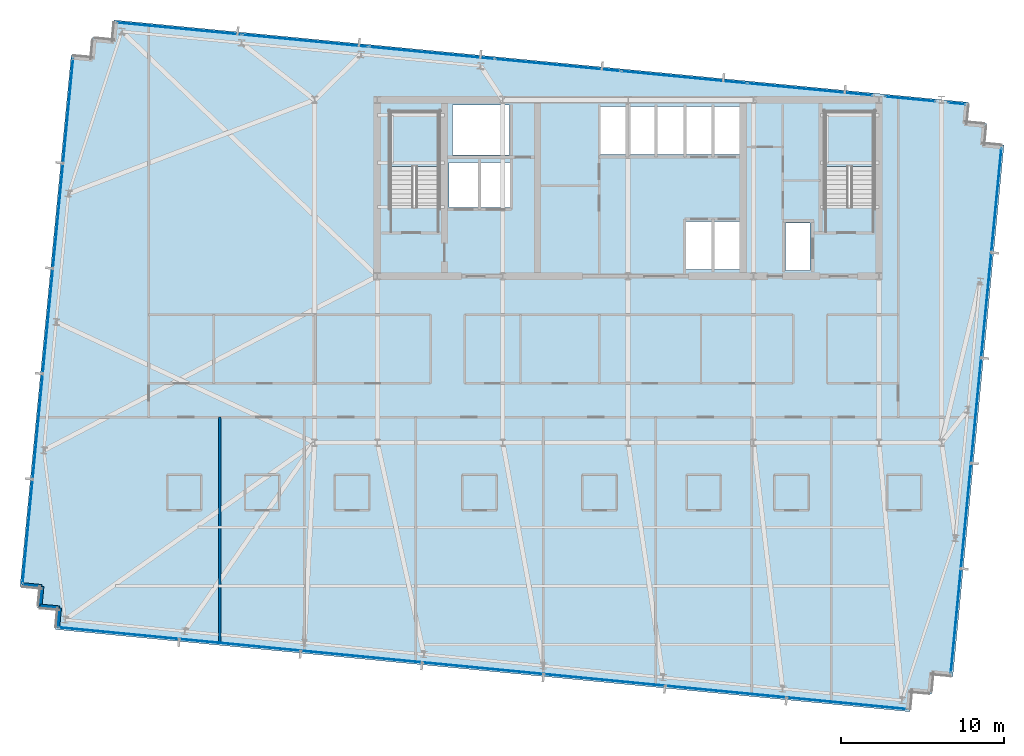
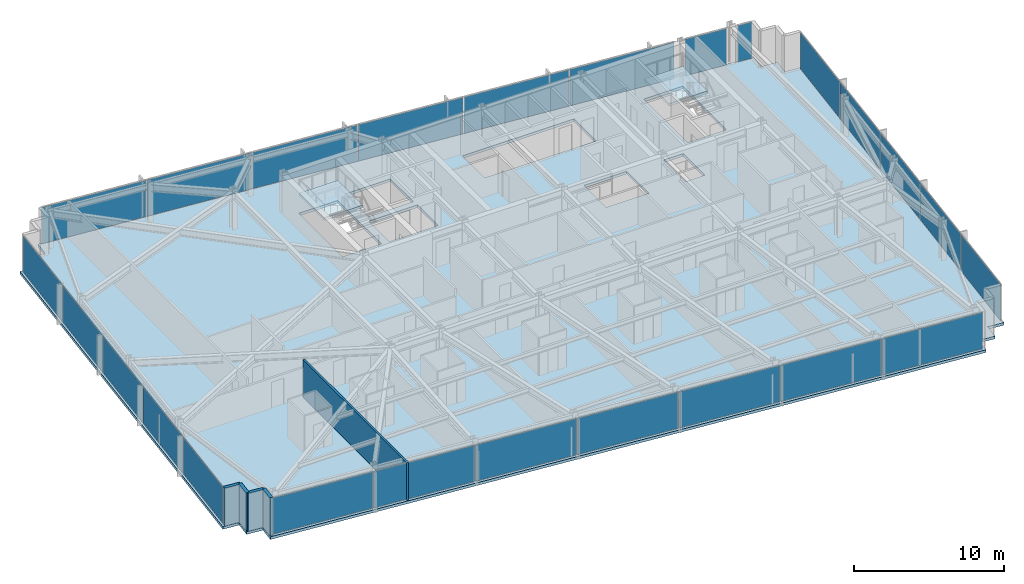
# One storey, part 28 of 37: 25 plates, 5 walls, 3 slabs, 8 elements without a shape of their own.
"""IFC4 building model written with IfcOpenShell, lengths in metres."""

from ifc_helpers import new_model, si_unit, direction, frame, frame_2d, origin, origin_2d, place, context, subcontext, project, spatial, polyline, rectangle, outline, extrude, material, layer, layer_set, type_object, element, aggregate, save


model = new_model("IFC4")

# Units and contexts
model_context = context("Model", 3, precision=1e-05, world=origin(), true_north=direction((0.0, 1.0)))
body_context = subcontext(model_context, "Body", "Model", "MODEL_VIEW")
ifc_project = project(units=[si_unit("LENGTHUNIT", "METRE"), si_unit("AREAUNIT", "SQUARE_METRE"), si_unit("VOLUMEUNIT", "CUBIC_METRE"), si_unit("PLANEANGLEUNIT", "RADIAN"), si_unit("MASSUNIT", "GRAM", prefix="KILO")], contexts=[model_context])

# Site, building, storey
site_placement = place(None, origin())
site = spatial("IfcSite", under=ifc_project, at=site_placement, CompositionType="ELEMENT")
building_placement = place(site_placement, origin())
building = spatial("IfcBuilding", under=site, at=building_placement, Name="Yelkora Congress Tower", CompositionType="ELEMENT")
storey_placement = place(building_placement, frame((0.0, 0.0, 175.39990234375)))
storey = spatial("IfcBuildingStorey", under=building, at=storey_placement, Name="L48", CompositionType="ELEMENT", Elevation=175.39990234375)

# Curtain wall, plates
ifc_material_1 = material(Name="Anodised aluminium and insulated glass", Category="aluminium")
curtain_wall_type = type_object("IfcCurtainWallType", Name="CW-SYS-B3", PredefinedType="NOTDEFINED", material=ifc_material_1)
curtain_wall_1_placement = place(storey_placement, origin())
curtain_wall_1 = element("IfcCurtainWall", 1, at=curtain_wall_1_placement, inside=storey, type_object=curtain_wall_type, Name="L48 Unitised Curtain Wall 5", PredefinedType="NOTDEFINED")
ifc_material_2 = material(Name="Acoustic laminated hotel glass unit B3", Category="glass")
ifc_layer_1 = layer(ifc_material_2, 0.0419921875)
ifc_layer_set_1 = layer_set([ifc_layer_1], Name="Acoustic laminated hotel glass unit B3")
plate_type = type_object("IfcPlateType", Name="PLT-PN-B3", PredefinedType="CURTAIN_PANEL", material=ifc_layer_set_1)
plate_1_placement = place(storey_placement, frame((1.61572265625, 19.75244140625, 0.06005859375), z_axis=(0.0, 0.0, 1.0), x_axis=(0.095845294465, 0.995396242473, 0.0)))
plate_1 = element("IfcPlate", 2, at=plate_1_placement, type_object=plate_type, Name="CW-B3 panel 1.1", PredefinedType="CURTAIN_PANEL", context=body_context, shape_type="SweptSolid", body=[
    extrude(rectangle(XDim=6.37890625, YDim=0.0419921875, at=origin_2d()), origin(), (0.0, 0.0, 1.0), 2.9599609375),
])
plate_2_placement = place(storey_placement, frame((2.235595703125, 26.189208984375, 0.06005859375), z_axis=(0.0, 0.0, 1.0), x_axis=(0.095845294465, 0.995396242473, 0.0)))
plate_2 = element("IfcPlate", 3, at=plate_2_placement, type_object=plate_type, Name="CW-B3 panel 2.1", PredefinedType="CURTAIN_PANEL", context=body_context, shape_type="SweptSolid", body=[
    extrude(rectangle(XDim=6.4140625, YDim=0.0419921875, at=origin_2d()), origin(), (0.0, 0.0, 1.0), 2.9599609375),
])
plate_3_placement = place(storey_placement, frame((2.85693359375, 32.643310546875, 0.06005859375), z_axis=(0.0, 0.0, 1.0), x_axis=(0.095845294465, 0.995396242473, 0.0)))
plate_3 = element("IfcPlate", 4, at=plate_3_placement, type_object=plate_type, Name="CW-B3 panel 3.1", PredefinedType="CURTAIN_PANEL", context=body_context, shape_type="SweptSolid", body=[
    extrude(rectangle(XDim=6.4140625, YDim=0.0419921875, at=origin_2d()), origin(), (0.0, 0.0, 1.0), 2.9599609375),
])
plate_4_placement = place(storey_placement, frame((3.478515625, 39.097412109375, 0.06005859375), z_axis=(0.0, 0.0, 1.0), x_axis=(0.095845294465, 0.995396242473, 0.0)))
plate_4 = element("IfcPlate", 5, at=plate_4_placement, type_object=plate_type, Name="CW-B3 panel 4.1", PredefinedType="CURTAIN_PANEL", context=body_context, shape_type="SweptSolid", body=[
    extrude(rectangle(XDim=6.4140625, YDim=0.0419921875, at=origin_2d()), origin(), (0.0, 0.0, 1.0), 2.9599609375),
])
plate_5_placement = place(storey_placement, frame((4.09814453125, 45.5341796875, 0.06005859375), z_axis=(0.0, 0.0, 1.0), x_axis=(0.095845294465, 0.995396242473, 0.0)))
plate_5 = element("IfcPlate", 6, at=plate_5_placement, type_object=plate_type, Name="CW-B3 panel 5.1", PredefinedType="CURTAIN_PANEL", context=body_context, shape_type="SweptSolid", body=[
    extrude(rectangle(XDim=6.37890625, YDim=0.0419921875, at=origin_2d()), origin(), (0.0, 0.0, 1.0), 2.9599609375),
])
aggregate(curtain_wall_1, [plate_1, plate_2, plate_3, plate_4, plate_5])

curtain_wall_2_placement = place(storey_placement, origin())
curtain_wall_2 = element("IfcCurtainWall", 7, at=curtain_wall_2_placement, inside=storey, type_object=curtain_wall_type, Name="L48 Unitised Curtain Wall 10 (1)", PredefinedType="NOTDEFINED")
plate_6_placement = place(storey_placement, frame((10.913818359375, 50.5634765625, 0.06005859375), z_axis=(0.0, 0.0, 1.0), x_axis=(0.995396293823, -0.095844761168, 0.0)))
plate_6 = element("IfcPlate", 8, at=plate_6_placement, type_object=plate_type, Name="CW-B3 panel 1.1", PredefinedType="CURTAIN_PANEL", context=body_context, shape_type="SweptSolid", body=[
    extrude(rectangle(XDim=7.664306640625, YDim=0.0419921875, at=origin_2d()), origin(), (0.0, 0.0, 1.0), 2.9599609375),
])
plate_7_placement = place(storey_placement, frame((18.6298828125, 49.820556640625, 0.06005859375), z_axis=(0.0, 0.0, 1.0), x_axis=(0.995396293823, -0.095844761168, 0.0)))
plate_7 = element("IfcPlate", 9, at=plate_7_placement, type_object=plate_type, Name="CW-B3 panel 2.1", PredefinedType="CURTAIN_PANEL", context=body_context, shape_type="SweptSolid", body=[
    extrude(rectangle(XDim=7.69921875, YDim=0.0419921875, at=origin_2d()), origin(), (0.0, 0.0, 1.0), 2.9599609375),
])
plate_8_placement = place(storey_placement, frame((26.363525390625, 49.075927734375, 0.06005859375), z_axis=(0.0, 0.0, 1.0), x_axis=(0.995396293823, -0.095844761168, 0.0)))
plate_8 = element("IfcPlate", 10, at=plate_8_placement, type_object=plate_type, Name="CW-B3 panel 3.1", PredefinedType="CURTAIN_PANEL", context=body_context, shape_type="SweptSolid", body=[
    extrude(rectangle(XDim=7.69921875, YDim=0.0419921875, at=origin_2d()), origin(), (0.0, 0.0, 1.0), 2.9599609375),
])
plate_9_placement = place(storey_placement, frame((34.09716796875, 48.331298828125, 0.06005859375), z_axis=(0.0, 0.0, 1.0), x_axis=(0.995396293823, -0.095844761168, 0.0)))
plate_9 = element("IfcPlate", 11, at=plate_9_placement, type_object=plate_type, Name="CW-B3 panel 4.1", PredefinedType="CURTAIN_PANEL", context=body_context, shape_type="SweptSolid", body=[
    extrude(rectangle(XDim=7.69921875, YDim=0.0419921875, at=origin_2d()), origin(), (0.0, 0.0, 1.0), 2.9599609375),
])
plate_10_placement = place(storey_placement, frame((41.83056640625, 47.586669921875, 0.06005859375), z_axis=(0.0, 0.0, 1.0), x_axis=(0.995396293823, -0.095844761168, 0.0)))
plate_10 = element("IfcPlate", 12, at=plate_10_placement, type_object=plate_type, Name="CW-B3 panel 5.1", PredefinedType="CURTAIN_PANEL", context=body_context, shape_type="SweptSolid", body=[
    extrude(rectangle(XDim=7.69921875, YDim=0.0419921875, at=origin_2d()), origin(), (0.0, 0.0, 1.0), 2.9599609375),
])
plate_11_placement = place(storey_placement, frame((49.546875, 46.84375, 0.06005859375), z_axis=(0.0, 0.0, 1.0), x_axis=(0.995396293823, -0.095844761168, 0.0)))
plate_11 = element("IfcPlate", 13, at=plate_11_placement, type_object=plate_type, Name="CW-B3 panel 6.1", PredefinedType="CURTAIN_PANEL", context=body_context, shape_type="SweptSolid", body=[
    extrude(rectangle(XDim=7.664306640625, YDim=0.0419921875, at=origin_2d()), origin(), (0.0, 0.0, 1.0), 2.9599609375),
])
aggregate(curtain_wall_2, [plate_6, plate_7, plate_8, plate_9, plate_10, plate_11])

# Curtain wall, plate
curtain_wall_3_placement = place(storey_placement, origin())
curtain_wall_3 = element("IfcCurtainWall", 14, at=curtain_wall_3_placement, inside=storey, type_object=curtain_wall_type, Name="L48 Unitised Curtain Wall 10 (2)", PredefinedType="NOTDEFINED")
plate_12_placement = place(storey_placement, frame((55.679931640625, 46.253173828125, 0.06005859375), z_axis=(0.0, 0.0, 1.0), x_axis=(0.995395952188, -0.095848309157, 0.0)))
plate_12 = element("IfcPlate", 15, at=plate_12_placement, type_object=plate_type, Name="CW-B3 panel 1.1", PredefinedType="CURTAIN_PANEL", context=body_context, shape_type="SweptSolid", body=[
    extrude(rectangle(XDim=3.056640625, YDim=0.0419921875, at=origin_2d()), origin(), (0.0, 0.0, 1.0), 2.9599609375),
])
aggregate(curtain_wall_3, [plate_12])

curtain_wall_4_placement = place(storey_placement, origin())
curtain_wall_4 = element("IfcCurtainWall", 16, at=curtain_wall_4_placement, inside=storey, type_object=curtain_wall_type, Name="L48 Unitised Curtain Wall 10 (3)", PredefinedType="NOTDEFINED")
plate_13_placement = place(storey_placement, frame((58.518798828125, 45.979736328125, 0.06005859375), z_axis=(0.0, 0.0, 1.0), x_axis=(0.995395569658, -0.095852281686, 0.0)))
plate_13 = element("IfcPlate", 17, at=plate_13_placement, type_object=plate_type, Name="CW-B3 panel 1.1", PredefinedType="CURTAIN_PANEL", context=body_context, shape_type="SweptSolid", body=[
    extrude(rectangle(XDim=1.045166015625, YDim=0.0419921875, at=origin_2d()), origin(), (0.0, 0.0, 1.0), 2.9599609375),
])
aggregate(curtain_wall_4, [plate_13])

# Curtain wall, plates
curtain_wall_5_placement = place(storey_placement, origin())
curtain_wall_5 = element("IfcCurtainWall", 18, at=curtain_wall_5_placement, inside=storey, type_object=curtain_wall_type, Name="L48 Unitised Curtain Wall 15", PredefinedType="NOTDEFINED")
plate_14_placement = place(storey_placement, frame((60.955322265625, 40.0595703125, 0.06005859375), z_axis=(0.0, 0.0, 1.0), x_axis=(-0.095841944023, -0.995396565076, 0.0)))
plate_14 = element("IfcPlate", 19, at=plate_14_placement, type_object=plate_type, Name="CW-B3 panel 1.1", PredefinedType="CURTAIN_PANEL", context=body_context, shape_type="SweptSolid", body=[
    extrude(rectangle(XDim=6.37890625, YDim=0.0419921875, at=origin_2d()), origin(), (0.0, 0.0, 1.0), 2.9599609375),
])
plate_15_placement = place(storey_placement, frame((60.33544921875, 33.622802734375, 0.06005859375), z_axis=(0.0, 0.0, 1.0), x_axis=(-0.095841944023, -0.995396565076, 0.0)))
plate_15 = element("IfcPlate", 20, at=plate_15_placement, type_object=plate_type, Name="CW-B3 panel 2.1", PredefinedType="CURTAIN_PANEL", context=body_context, shape_type="SweptSolid", body=[
    extrude(rectangle(XDim=6.4140625, YDim=0.0419921875, at=origin_2d()), origin(), (0.0, 0.0, 1.0), 2.9599609375),
])
plate_16_placement = place(storey_placement, frame((59.714111328125, 27.168701171875, 0.06005859375), z_axis=(0.0, 0.0, 1.0), x_axis=(-0.095841944023, -0.995396565076, 0.0)))
plate_16 = element("IfcPlate", 21, at=plate_16_placement, type_object=plate_type, Name="CW-B3 panel 3.1", PredefinedType="CURTAIN_PANEL", context=body_context, shape_type="SweptSolid", body=[
    extrude(rectangle(XDim=6.4140625, YDim=0.0419921875, at=origin_2d()), origin(), (0.0, 0.0, 1.0), 2.9599609375),
])
plate_17_placement = place(storey_placement, frame((59.092529296875, 20.71435546875, 0.06005859375), z_axis=(0.0, 0.0, 1.0), x_axis=(-0.095841944023, -0.995396565076, 0.0)))
plate_17 = element("IfcPlate", 22, at=plate_17_placement, type_object=plate_type, Name="CW-B3 panel 4.1", PredefinedType="CURTAIN_PANEL", context=body_context, shape_type="SweptSolid", body=[
    extrude(rectangle(XDim=6.4140625, YDim=0.0419921875, at=origin_2d()), origin(), (0.0, 0.0, 1.0), 2.9599609375),
])
plate_18_placement = place(storey_placement, frame((58.472900390625, 14.277587890625, 0.06005859375), z_axis=(0.0, 0.0, 1.0), x_axis=(-0.095841944023, -0.995396565076, 0.0)))
plate_18 = element("IfcPlate", 23, at=plate_18_placement, type_object=plate_type, Name="CW-B3 panel 5.1", PredefinedType="CURTAIN_PANEL", context=body_context, shape_type="SweptSolid", body=[
    extrude(rectangle(XDim=6.37890625, YDim=0.0419921875, at=origin_2d()), origin(), (0.0, 0.0, 1.0), 2.9599609375),
])
aggregate(curtain_wall_5, [plate_14, plate_15, plate_16, plate_17, plate_18])

curtain_wall_6_placement = place(storey_placement, origin())
curtain_wall_6 = element("IfcCurtainWall", 24, at=curtain_wall_6_placement, inside=storey, type_object=curtain_wall_type, Name="L48 Unitised Curtain Wall 20", PredefinedType="NOTDEFINED")
plate_19_placement = place(storey_placement, frame((51.803955078125, 9.234130859375, 0.06005859375), z_axis=(0.0, 0.0, 1.0), x_axis=(-0.995396301573, 0.095844680679, 0.0)))
plate_19 = element("IfcPlate", 25, at=plate_19_placement, type_object=plate_type, Name="CW-B3 panel 1.1", PredefinedType="CURTAIN_PANEL", context=body_context, shape_type="SweptSolid", body=[
    extrude(rectangle(XDim=7.369384765625, YDim=0.0419921875, at=origin_2d()), origin(), (0.0, 0.0, 1.0), 2.9599609375),
])
plate_20_placement = place(storey_placement, frame((44.381591796875, 9.948974609375, 0.06005859375), z_axis=(0.0, 0.0, 1.0), x_axis=(-0.995396301573, 0.095844680679, 0.0)))
plate_20 = element("IfcPlate", 26, at=plate_20_placement, type_object=plate_type, Name="CW-B3 panel 2.1", PredefinedType="CURTAIN_PANEL", context=body_context, shape_type="SweptSolid", body=[
    extrude(rectangle(XDim=7.404296875, YDim=0.0419921875, at=origin_2d()), origin(), (0.0, 0.0, 1.0), 2.9599609375),
])
plate_21_placement = place(storey_placement, frame((36.941650390625, 10.665283203125, 0.06005859375), z_axis=(0.0, 0.0, 1.0), x_axis=(-0.995396301573, 0.095844680679, 0.0)))
plate_21 = element("IfcPlate", 27, at=plate_21_placement, type_object=plate_type, Name="CW-B3 panel 3.1", PredefinedType="CURTAIN_PANEL", context=body_context, shape_type="SweptSolid", body=[
    extrude(rectangle(XDim=7.404296875, YDim=0.0419921875, at=origin_2d()), origin(), (0.0, 0.0, 1.0), 2.9599609375),
])
plate_22_placement = place(storey_placement, frame((29.501708984375, 11.381591796875, 0.06005859375), z_axis=(0.0, 0.0, 1.0), x_axis=(-0.995396301573, 0.095844680679, 0.0)))
plate_22 = element("IfcPlate", 28, at=plate_22_placement, type_object=plate_type, Name="CW-B3 panel 4.1", PredefinedType="CURTAIN_PANEL", context=body_context, shape_type="SweptSolid", body=[
    extrude(rectangle(XDim=7.404296875, YDim=0.0419921875, at=origin_2d()), origin(), (0.0, 0.0, 1.0), 2.9599609375),
])
plate_23_placement = place(storey_placement, frame((22.06201171875, 12.097900390625, 0.06005859375), z_axis=(0.0, 0.0, 1.0), x_axis=(-0.995396301573, 0.095844680679, 0.0)))
plate_23 = element("IfcPlate", 29, at=plate_23_placement, type_object=plate_type, Name="CW-B3 panel 5.1", PredefinedType="CURTAIN_PANEL", context=body_context, shape_type="SweptSolid", body=[
    extrude(rectangle(XDim=7.404296875, YDim=0.0419921875, at=origin_2d()), origin(), (0.0, 0.0, 1.0), 2.9599609375),
])
plate_24_placement = place(storey_placement, frame((14.6220703125, 12.814453125, 0.06005859375), z_axis=(0.0, 0.0, 1.0), x_axis=(-0.995396301573, 0.095844680679, 0.0)))
plate_24 = element("IfcPlate", 30, at=plate_24_placement, type_object=plate_type, Name="CW-B3 panel 6.1", PredefinedType="CURTAIN_PANEL", context=body_context, shape_type="SweptSolid", body=[
    extrude(rectangle(XDim=7.404296875, YDim=0.0419921875, at=origin_2d()), origin(), (0.0, 0.0, 1.0), 2.9599609375),
])
plate_25_placement = place(storey_placement, frame((7.199462890625, 13.529052734375, 0.06005859375), z_axis=(0.0, 0.0, 1.0), x_axis=(-0.995396301573, 0.095844680679, 0.0)))
plate_25 = element("IfcPlate", 31, at=plate_25_placement, type_object=plate_type, Name="CW-B3 panel 7.1", PredefinedType="CURTAIN_PANEL", context=body_context, shape_type="SweptSolid", body=[
    extrude(rectangle(XDim=7.369384765625, YDim=0.0419921875, at=origin_2d()), origin(), (0.0, 0.0, 1.0), 2.9599609375),
])
aggregate(curtain_wall_6, [plate_19, plate_20, plate_21, plate_22, plate_23, plate_24, plate_25])

# Stair, slab
ifc_material_3 = material(Name="Concrete C40/50", Category="concrete")
stair_type = type_object("IfcStairType", Name="STAIR-HT-1420-R20-165", PredefinedType="HALF_TURN_STAIR", material=ifc_material_3)
stair_1_placement = place(storey_placement, origin())
stair_1 = element("IfcStair", 32, at=stair_1_placement, inside=storey, type_object=stair_type, Name="West Core Protected Exit Stair ST-01 (L48)", PredefinedType="HALF_TURN_STAIR")
ifc_layer_2 = layer(ifc_material_3, 0.219970703125)
ifc_layer_set_2 = layer_set([ifc_layer_2], Name="Concrete C40/50")
slab_type_1 = type_object("IfcSlabType", Name="SLAB-LANDING-220", PredefinedType="LANDING", material=ifc_layer_set_2)
slab_1_placement = place(storey_placement, frame((0.0, 0.0, 1.43017578125)))
slab_1 = element("IfcSlab", 33, at=slab_1_placement, type_object=slab_type_1, Name="ST-01 L48 Half Landing 1", PredefinedType="LANDING", context=body_context, shape_type="SweptSolid", body=[
    extrude(outline(polyline([(26.820068359375, 42.1201171875), (26.820068359375, 45.469970703125), (23.820068359375, 45.469970703125), (23.820068359375, 42.1201171875), (26.820068359375, 42.1201171875)])), origin(), (0.0, 0.0, 1.0), 0.219970703125),
])
aggregate(stair_1, [slab_1])

stair_2_placement = place(storey_placement, origin())
stair_2 = element("IfcStair", 34, at=stair_2_placement, inside=storey, type_object=stair_type, Name="East Core Protected Exit Stair ST-02 (L48)", PredefinedType="HALF_TURN_STAIR")
slab_2_placement = place(storey_placement, frame((0.0, 0.0, 1.43017578125)))
slab_2 = element("IfcSlab", 35, at=slab_2_placement, type_object=slab_type_1, Name="ST-02 L48 Half Landing 1", PredefinedType="LANDING", context=body_context, shape_type="SweptSolid", body=[
    extrude(outline(polyline([(53.4599609375, 42.1201171875), (53.4599609375, 45.469970703125), (50.4599609375, 45.469970703125), (50.4599609375, 42.1201171875), (53.4599609375, 42.1201171875)])), origin(), (0.0, 0.0, 1.0), 0.219970703125),
])
aggregate(stair_2, [slab_2])

# Slab
ifc_layer_3 = layer(ifc_material_3, 0.219970703125)
ifc_layer_set_3 = layer_set([ifc_layer_3], Name="Concrete C40/50")
slab_type_2 = type_object("IfcSlabType", Name="SLAB-TWR-220", PredefinedType="FLOOR", material=ifc_layer_set_3)
slab_3_placement = place(storey_placement, frame((0.0, 0.0, -0.219970703125)))
element("IfcSlab", 36, at=slab_3_placement, inside=storey, type_object=slab_type_2, Name="L48 Structural Floor Slab", PredefinedType="FLOOR", context=body_context, shape_type="SweptSolid", body=[
    extrude(outline(polyline([(3.309326171875, 13.762939453125), (55.667236328125, 8.721435546875), (55.7822265625, 9.916015625), (56.976806640625, 9.801025390625), (57.091796875, 10.99560546875), (58.286376953125, 10.88037109375), (61.42041015625, 43.429931640625), (60.225830078125, 43.544921875), (60.341064453125, 44.739501953125), (59.146484375, 44.8544921875), (59.261474609375, 46.048828125), (6.90380859375, 51.09033203125), (6.78857421875, 49.89599609375), (5.59423828125, 50.010986328125), (5.479248046875, 48.81640625), (4.28466796875, 48.931396484375), (1.150390625, 16.382080078125), (2.344970703125, 16.26708984375), (2.22998046875, 15.072509765625), (3.424560546875, 14.95751953125), (3.309326171875, 13.762939453125)]), holes=[polyline([(23.820068359375, 39.6298828125), (26.820068359375, 39.6298828125), (26.820068359375, 45.469970703125), (23.820068359375, 45.469970703125), (23.820068359375, 39.6298828125)]), polyline([(50.4599609375, 39.6298828125), (53.4599609375, 39.6298828125), (53.4599609375, 45.469970703125), (50.4599609375, 45.469970703125), (50.4599609375, 39.6298828125)]), polyline([(48.050048828125, 35.75), (49.550048828125, 35.75), (49.550048828125, 38.64990234375), (48.050048828125, 38.64990234375), (48.050048828125, 35.75)]), polyline([(36.64990234375, 42.85009765625), (45.25, 42.85009765625), (45.25, 45.800048828125), (36.64990234375, 45.800048828125), (36.64990234375, 42.85009765625)]), polyline([(41.949951171875, 35.800048828125), (45.25, 35.800048828125), (45.25, 38.75), (41.949951171875, 38.75), (41.949951171875, 35.800048828125)]), polyline([(27.419921875, 39.60009765625), (31.179931640625, 39.60009765625), (31.179931640625, 42.35009765625), (27.419921875, 42.35009765625), (27.419921875, 39.60009765625)]), polyline([(27.64990234375, 42.820068359375), (31.1201171875, 42.820068359375), (31.1201171875, 45.8798828125), (27.64990234375, 45.8798828125), (27.64990234375, 42.820068359375)])]), origin(), (0.0, 0.0, 1.0), 0.219970703125),
])

# Walls
ifc_layer_4 = layer(ifc_material_3, 0.239990234375)
ifc_layer_set_4 = layer_set([ifc_layer_4], Name="Concrete C40/50")
wall_type_1 = type_object("IfcWallType", Name="WALL-EXT-LIMESTONE-240", PredefinedType="SOLIDWALL", material=ifc_layer_set_4)
for number, where, z_axis, x_axis, name in (
    (37, (3.462158203125, 13.888916015625, 0.0), (0.0, 0.0, 1.0), (0.096018626938, 0.995379537303, 0.0), "L48 Serrated Corner Limestone Pier 1"),
    (38, (3.577392578125, 15.08349609375, 0.0), (0.0, 0.0, 1.0), (-0.995398960025, 0.095817067274, 0.0), "L48 Serrated Corner Limestone Pier 2"),
):
    element("IfcWall", number, at=place(storey_placement, frame(where, z_axis=z_axis, x_axis=x_axis)), inside=storey, type_object=wall_type_1, Name=name, PredefinedType="SOLIDWALL", context=body_context, shape_type="SweptSolid", body=[
        extrude(rectangle(XDim=1.2001953125, YDim=0.239990234375, at=frame_2d((0.60009765625, 0.0))), origin(), (0.0, 0.0, 1.0), 3.080078125),
    ])
wall_1_placement = place(storey_placement, frame((2.3828125, 15.198486328125, 0.0), z_axis=(0.0, 0.0, 1.0), x_axis=(0.095836473879, 0.995397091755, 0.0)))
element("IfcWall", 39, at=wall_1_placement, inside=storey, type_object=wall_type_1, Name="L48 Serrated Corner Limestone Pier 3", PredefinedType="SOLIDWALL", context=body_context, shape_type="SweptSolid", body=[
    extrude(rectangle(XDim=1.199951171875, YDim=0.239990234375, at=frame_2d((0.60009765625, 0.0))), origin(), (0.0, 0.0, 1.0), 3.080078125),
])
wall_2_placement = place(storey_placement, frame((2.497802734375, 16.392822265625, 0.0), z_axis=(0.0, 0.0, 1.0), x_axis=(-0.995398960025, 0.095817067274, 0.0)))
element("IfcWall", 40, at=wall_2_placement, inside=storey, type_object=wall_type_1, Name="L48 Serrated Corner Limestone Pier 4", PredefinedType="SOLIDWALL", context=body_context, shape_type="SweptSolid", body=[
    extrude(rectangle(XDim=1.2001953125, YDim=0.239990234375, at=frame_2d((0.60009765625, 0.0))), origin(), (0.0, 0.0, 1.0), 3.080078125),
])
ifc_material_4 = material(Name="Twin-stud fire-rated gypsum partition", Category="gypsum")
ifc_layer_5 = layer(ifc_material_4, 0.14990234375)
ifc_layer_set_5 = layer_set([ifc_layer_5], Name="Twin-stud fire-rated gypsum partition")
wall_type_2 = type_object("IfcWallType", Name="WALL-INT-150-R60", PredefinedType="PARTITIONING", material=ifc_layer_set_5)
wall_3_placement = place(storey_placement, frame((13.39794921875, 12.871826171875, 0.0), z_axis=(0.0, 0.0, 1.0), x_axis=(0.0, 1.0, 0.0)))
element("IfcWall", 41, at=wall_3_placement, inside=storey, type_object=wall_type_2, Name="L48 Partition Wall 35", PredefinedType="PARTITIONING", context=body_context, shape_type="SweptSolid", body=[
    extrude(rectangle(XDim=13.898193359375, YDim=0.14990234375, at=frame_2d((6.94921875, 0.0))), origin(), (0.0, 0.0, 1.0), 3.080078125),
])

save(model, "model.ifc")
